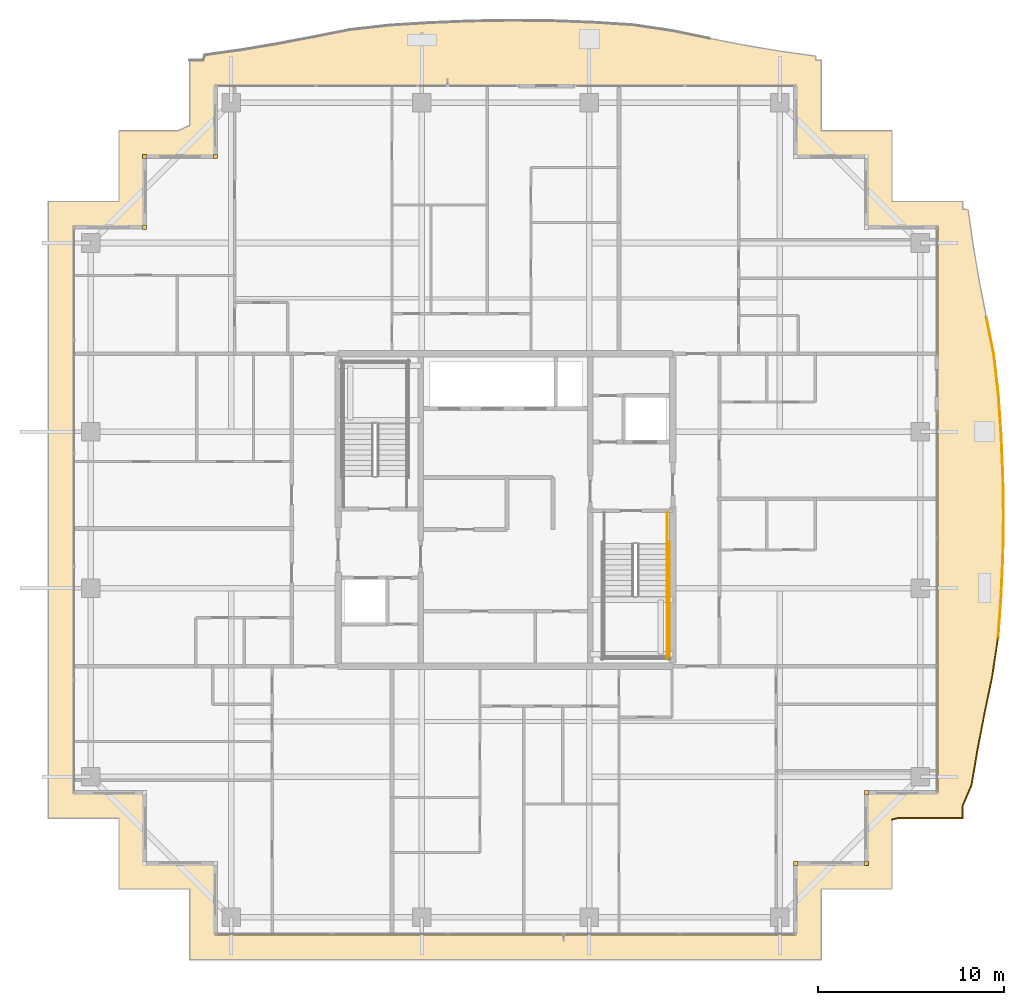
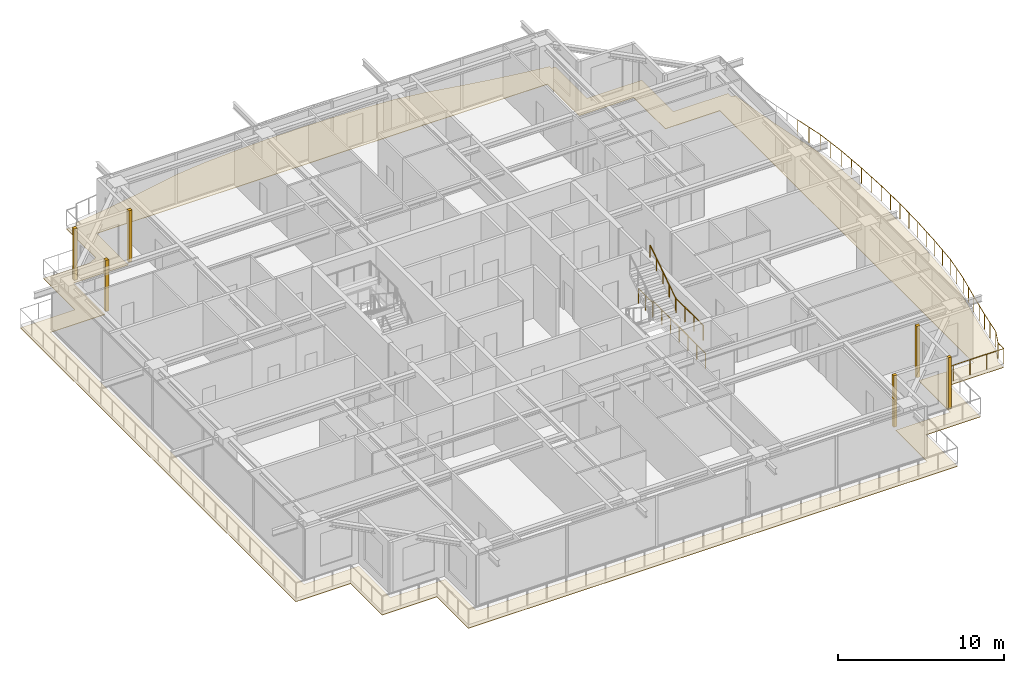
# One storey, part 39 of 40: 7 coverings, 6 railings.
"""IFC4 building model written with IfcOpenShell, lengths in metres."""

from ifc_helpers import new_model, si_unit, direction, frame, origin, origin_2d, place, context, subcontext, project, spatial, polyline, rectangle, circle, outline, extrude, source, transform, mapped, material, layer, layer_set, type_object, element, save


model = new_model("IFC4")

# Units and contexts
model_context = context("Model", 3, precision=1e-05, world=origin(), true_north=direction((0.0, 1.0)))
body_context = subcontext(model_context, "Body", "Model", "MODEL_VIEW")
ifc_project = project(units=[si_unit("LENGTHUNIT", "METRE"), si_unit("AREAUNIT", "SQUARE_METRE"), si_unit("VOLUMEUNIT", "CUBIC_METRE"), si_unit("PLANEANGLEUNIT", "RADIAN"), si_unit("MASSUNIT", "GRAM", prefix="KILO")], contexts=[model_context])

# Site, building, storey
site_placement = place(None, origin())
site = spatial("IfcSite", under=ifc_project, at=site_placement, CompositionType="ELEMENT")
building_placement = place(site_placement, origin())
building = spatial("IfcBuilding", under=site, at=building_placement, Name="Serunith Strait Residences", CompositionType="ELEMENT")
storey_placement = place(building_placement, frame((0.0, 0.0, 313.699951171875)))
storey = spatial("IfcBuildingStorey", under=building, at=storey_placement, Name="L78", CompositionType="ELEMENT", Elevation=313.699951171875)

# Covering
ifc_material_1 = material(Name="Golden Teak Exterior Timber Boarding", Category="wood")
ifc_layer_1 = layer(ifc_material_1, 0.034912109375, Name="Golden Teak Exterior Timber Boarding")
ifc_layer_set_1 = layer_set([ifc_layer_1], Name="Golden Teak Exterior Timber Boarding")
covering_type_1 = type_object("IfcCoveringType", Name="COV-TEAK-SOFFIT", PredefinedType="CEILING", material=ifc_layer_set_1)
covering_placement = place(storey_placement, frame((0.0, 0.0, -0.324951171875)))
element("IfcCovering", 1, at=covering_placement, inside=storey, type_object=covering_type_1, Name="L78 Golden-Teak Balcony Soffit Lining", PredefinedType="CEILING", context=body_context, shape_type="SweptSolid", body=[
    extrude(outline(polyline([(15.419921875, 49.3798828125), (16.14990234375, 49.3798828125), (16.240478515625, 49.653564453125), (18.141845703125, 49.92138671875), (20.06103515625, 50.243896484375), (22.014892578125, 50.614501953125), (24.022216796875, 51.0126953125), (26.134765625, 51.25146484375), (28.303466796875, 51.38720703125), (30.498291015625, 51.477783203125), (32.707763671875, 51.5146484375), (34.917724609375, 51.49169921875), (37.11279296875, 51.408447265625), (39.27978515625, 51.27099609375), (41.363037109375, 50.959228515625), (43.35205078125, 50.551025390625), (45.289794921875, 50.176513671875), (47.19677734375, 49.85498046875), (49.089599609375, 49.592529296875), (49.087646484375, 49.3798828125), (49.3798828125, 49.3798828125), (49.3798828125, 45.580078125), (53.179931640625, 45.580078125), (53.179931640625, 41.892578125), (53.197021484375, 41.780029296875), (56.97998046875, 41.780029296875), (56.97998046875, 41.365478515625), (57.265380859375, 41.348388671875), (57.5361328125, 39.447509765625), (57.864013671875, 37.529541015625), (58.242919921875, 35.577880859375), (58.65283203125, 33.57373046875), (58.89306640625, 31.461669921875), (59.042236328125, 29.2958984375), (59.14013671875, 27.101806640625), (59.17431640625, 24.892333984375), (59.139404296875, 22.68359375), (59.038818359375, 20.4921875), (58.883544921875, 18.331787109375), (58.573486328125, 16.249755859375), (58.16064453125, 14.2626953125), (57.784912109375, 12.3251953125), (57.464599609375, 10.4169921875), (56.97998046875, 9.292724609375), (56.97998046875, 8.6201171875), (53.47119140625, 8.6201171875), (53.179931640625, 8.547119140625), (53.179931640625, 4.820068359375), (49.392578125, 4.820068359375), (49.3798828125, 4.815185546875), (49.3798828125, 1.02001953125), (15.419921875, 1.02001953125), (15.419921875, 4.820068359375), (11.6201171875, 4.820068359375), (11.6201171875, 8.6201171875), (7.820068359375, 8.6201171875), (7.820068359375, 41.780029296875), (11.6201171875, 41.780029296875), (11.6201171875, 45.580078125), (14.802001953125, 45.580078125), (15.419921875, 45.871826171875), (15.419921875, 49.3798828125)]), holes=[polyline([(48.054931640625, 2.344970703125), (48.054931640625, 6.14501953125), (51.85498046875, 6.14501953125), (51.85498046875, 9.945068359375), (55.655029296875, 9.945068359375), (55.655029296875, 40.455078125), (51.85498046875, 40.455078125), (51.85498046875, 44.2548828125), (48.054931640625, 44.2548828125), (48.054931640625, 48.054931640625), (16.7451171875, 48.054931640625), (16.7451171875, 44.2548828125), (12.945068359375, 44.2548828125), (12.945068359375, 40.455078125), (9.14501953125, 40.455078125), (9.14501953125, 9.945068359375), (12.945068359375, 9.945068359375), (12.945068359375, 6.14501953125), (16.7451171875, 6.14501953125), (16.7451171875, 2.344970703125), (48.054931640625, 2.344970703125)])]), origin(), (0.0, 0.0, 1.0), 0.034912109375),
])

# Railings
ifc_material_2 = material(Name="Stainless Steel & Laminated Glass Balustrade", Category="steel")
railing_type_1 = type_object("IfcRailingType", Name="RLG-BALC-1150", PredefinedType="BALUSTRADE", material=ifc_material_2)
railing_1_placement = place(storey_placement, frame((58.242919921875, 35.577880859375, -0.050048828125)))
element("IfcRailing", 2, at=railing_1_placement, inside=storey, type_object=railing_type_1, Name="L78 Swirling Balcony Perimeter Balustrade 5", PredefinedType="BALUSTRADE", context=body_context, shape_type="SweptSolid", body=[
    extrude(circle(Radius=0.02392578125, at=origin_2d()), frame((0.00048828125, -0.001953125, 1.1259765625), z_axis=(0.200383218636, -0.979717594866, 0.0), x_axis=(0.979717594866, 0.200383218636, 0.0)), (0.0, 0.0, 1.0), 2.041748046875),
    extrude(circle(Radius=0.02392578125, at=origin_2d()), frame((0.41015625, -2.006103515625, 1.1259765625), z_axis=(0.113015345131, -0.993593242612, 0.0), x_axis=(0.993593242612, 0.113015345131, 0.0)), (0.0, 0.0, 1.0), 2.12158203125),
    extrude(circle(Radius=0.02392578125, at=origin_2d()), frame((0.650390625, -4.1181640625, 1.1259765625), z_axis=(0.068713320805, -0.99763644658, 0.0), x_axis=(0.99763644658, 0.068713320805, 0.0)), (0.0, 0.0, 1.0), 2.1669921875),
    extrude(circle(Radius=0.02392578125, at=origin_2d()), frame((0.79931640625, -6.283935546875, 1.1259765625), z_axis=(0.044575654902, -0.999006011488, 0.0), x_axis=(0.999006011488, 0.044575654902, 0.0)), (0.0, 0.0, 1.0), 2.1923828125),
    extrude(circle(Radius=0.02392578125, at=origin_2d()), frame((0.897216796875, -8.47802734375, 1.1259765625), z_axis=(0.015467762583, -0.999880367004, 0.0), x_axis=(0.999880367004, 0.015467762583, 0.0)), (0.0, 0.0, 1.0), 2.205810546875),
    extrude(circle(Radius=0.02392578125, at=origin_2d()), frame((0.931396484375, -10.6875, 1.1259765625), z_axis=(-0.015804370482, -0.999875103137, 0.0), x_axis=(0.999875103137, -0.015804370482, 0.0)), (0.0, 0.0, 1.0), 2.205078125),
    extrude(circle(Radius=0.02392578125, at=origin_2d()), frame((0.896484375, -12.896240234375, 1.1259765625), z_axis=(-0.045851902668, -0.99894824842, 0.0), x_axis=(0.99894824842, -0.045851902668, 0.0)), (0.0, 0.0, 1.0), 2.189697265625),
    extrude(circle(Radius=0.02392578125, at=origin_2d()), frame((0.795654296875, -15.087646484375, 1.1259765625), z_axis=(-0.07168760955, -0.997427133498, 0.0), x_axis=(0.997427133498, -0.07168760955, 0.0)), (0.0, 0.0, 1.0), 2.161865234375),
    extrude(circle(Radius=0.02099609375, at=origin_2d()), origin(), (0.0, 0.0, 1.0), 1.099853515625),
    extrude(circle(Radius=0.02099609375, at=origin_2d()), frame((0.205078125, -1.001953125, 0.0)), (0.0, 0.0, 1.0), 1.099853515625),
    extrude(circle(Radius=0.02099609375, at=origin_2d()), frame((0.409912109375, -2.004150390625, 0.0)), (0.0, 0.0, 1.0), 1.099853515625),
    extrude(circle(Radius=0.02099609375, at=origin_2d()), frame((0.530029296875, -3.06005859375, 0.0)), (0.0, 0.0, 1.0), 1.099853515625),
    extrude(circle(Radius=0.02099609375, at=origin_2d()), frame((0.650146484375, -4.1162109375, 0.0)), (0.0, 0.0, 1.0), 1.099853515625),
    extrude(circle(Radius=0.02099609375, at=origin_2d()), frame((0.724609375, -5.19921875, 0.0)), (0.0, 0.0, 1.0), 1.099853515625),
    extrude(circle(Radius=0.02099609375, at=origin_2d()), frame((0.79931640625, -6.281982421875, 0.0)), (0.0, 0.0, 1.0), 1.099853515625),
    extrude(circle(Radius=0.02099609375, at=origin_2d()), frame((0.84814453125, -7.37890625, 0.0)), (0.0, 0.0, 1.0), 1.099853515625),
    extrude(circle(Radius=0.02099609375, at=origin_2d()), frame((0.897216796875, -8.47607421875, 0.0)), (0.0, 0.0, 1.0), 1.099853515625),
    extrude(circle(Radius=0.02099609375, at=origin_2d()), frame((0.914306640625, -9.580810546875, 0.0)), (0.0, 0.0, 1.0), 1.099853515625),
    extrude(circle(Radius=0.02099609375, at=origin_2d()), frame((0.931396484375, -10.685546875, 0.0)), (0.0, 0.0, 1.0), 1.099853515625),
    extrude(circle(Radius=0.02099609375, at=origin_2d()), frame((0.9140625, -11.7900390625, 0.0)), (0.0, 0.0, 1.0), 1.099853515625),
    extrude(circle(Radius=0.02099609375, at=origin_2d()), frame((0.896484375, -12.894287109375, 0.0)), (0.0, 0.0, 1.0), 1.099853515625),
    extrude(circle(Radius=0.02099609375, at=origin_2d()), frame((0.84619140625, -13.989990234375, 0.0)), (0.0, 0.0, 1.0), 1.099853515625),
    extrude(circle(Radius=0.02099609375, at=origin_2d()), frame((0.7958984375, -15.085693359375, 0.0)), (0.0, 0.0, 1.0), 1.099853515625),
    extrude(circle(Radius=0.02099609375, at=origin_2d()), frame((0.71826171875, -16.166015625, 0.0)), (0.0, 0.0, 1.0), 1.099853515625),
    extrude(circle(Radius=0.02099609375, at=origin_2d()), frame((0.640625, -17.24609375, 0.0)), (0.0, 0.0, 1.0), 1.099853515625),
])
railing_2_placement = place(storey_placement, frame((58.883544921875, 18.331787109375, -0.050048828125)))
element("IfcRailing", 3, at=railing_2_placement, inside=storey, type_object=railing_type_1, Name="L78 Swirling Balcony Perimeter Balustrade 6", PredefinedType="BALUSTRADE", context=body_context, shape_type="SweptSolid", body=[
    extrude(circle(Radius=0.02392578125, at=origin_2d()), frame((-0.000244140625, -0.001953125, 1.1259765625), z_axis=(-0.147296818196, -0.989092335098, 0.0), x_axis=(0.989092335098, -0.147296818196, 0.0)), (0.0, 0.0, 1.0), 2.10107421875),
    extrude(circle(Radius=0.02392578125, at=origin_2d()), frame((-0.310546875, -2.083984375, 1.1259765625), z_axis=(-0.203420997119, -0.979091363424, 0.0), x_axis=(0.979091363424, -0.203420997119, 0.0)), (0.0, 0.0, 1.0), 2.025390625),
    extrude(circle(Radius=0.02392578125, at=origin_2d()), frame((-0.723388671875, -4.071044921875, 1.1259765625), z_axis=(-0.19037960412, -0.981710551199, 0.0), x_axis=(0.981710551199, -0.19037960412, 0.0)), (0.0, 0.0, 1.0), 1.969482421875),
    extrude(circle(Radius=0.02392578125, at=origin_2d()), frame((-1.098876953125, -6.008544921875, 1.1259765625), z_axis=(-0.165544703271, -0.98620228717, 0.0), x_axis=(0.98620228717, -0.165544703271, 0.0)), (0.0, 0.0, 1.0), 1.930908203125),
    extrude(circle(Radius=0.02392578125, at=origin_2d()), frame((-1.419677734375, -7.916748046875, 1.1259765625), z_axis=(-0.395843845164, -0.918317837269, 0.0), x_axis=(0.918317837269, -0.395843845164, 0.0)), (0.0, 0.0, 1.0), 1.22021484375),
    extrude(circle(Radius=0.02392578125, at=origin_2d()), frame((-1.903564453125, -9.041015625, 1.1259765625), z_axis=(0.0, -1.0, 0.0), x_axis=(1.0, 0.0, 0.0)), (0.0, 0.0, 1.0), 0.668701171875),
    extrude(circle(Radius=0.02392578125, at=origin_2d()), frame((-1.905517578125, -9.711669921875, 1.1259765625), z_axis=(-1.0, 0.0, 0.0), x_axis=(0.0, -1.0, 0.0)), (0.0, 0.0, 1.0), 3.5048828125),
    extrude(circle(Radius=0.02392578125, at=origin_2d()), frame((-5.414306640625, -9.712158203125, 1.1259765625), z_axis=(-0.969998846497, -0.243109518108, 0.0), x_axis=(0.243109518108, -0.969998846497, 0.0)), (0.0, 0.0, 1.0), 0.29638671875),
    extrude(circle(Radius=0.02099609375, at=origin_2d()), origin(), (0.0, 0.0, 1.0), 1.099853515625),
    extrude(circle(Radius=0.02099609375, at=origin_2d()), frame((-0.155029296875, -1.041015625, 0.0)), (0.0, 0.0, 1.0), 1.099853515625),
    extrude(circle(Radius=0.02099609375, at=origin_2d()), frame((-0.31005859375, -2.08203125, 0.0)), (0.0, 0.0, 1.0), 1.099853515625),
    extrude(circle(Radius=0.02099609375, at=origin_2d()), frame((-0.5166015625, -3.07568359375, 0.0)), (0.0, 0.0, 1.0), 1.099853515625),
    extrude(circle(Radius=0.02099609375, at=origin_2d()), frame((-0.722900390625, -4.069091796875, 0.0)), (0.0, 0.0, 1.0), 1.099853515625),
    extrude(circle(Radius=0.02099609375, at=origin_2d()), frame((-0.91064453125, -5.037841796875, 0.0)), (0.0, 0.0, 1.0), 1.099853515625),
    extrude(circle(Radius=0.02099609375, at=origin_2d()), frame((-1.0986328125, -6.006591796875, 0.0)), (0.0, 0.0, 1.0), 1.099853515625),
    extrude(circle(Radius=0.02099609375, at=origin_2d()), frame((-1.2587890625, -6.960693359375, 0.0)), (0.0, 0.0, 1.0), 1.099853515625),
    extrude(circle(Radius=0.02099609375, at=origin_2d()), frame((-1.4189453125, -7.914794921875, 0.0)), (0.0, 0.0, 1.0), 1.099853515625),
    extrude(circle(Radius=0.02099609375, at=origin_2d()), frame((-1.903564453125, -9.0390625, 0.0)), (0.0, 0.0, 1.0), 1.099853515625),
    extrude(circle(Radius=0.02099609375, at=origin_2d()), frame((-1.903564453125, -9.711669921875, 0.0)), (0.0, 0.0, 1.0), 1.099853515625),
    extrude(circle(Radius=0.02099609375, at=origin_2d()), frame((-3.0732421875, -9.711669921875, 0.0)), (0.0, 0.0, 1.0), 1.099853515625),
    extrude(circle(Radius=0.02099609375, at=origin_2d()), frame((-4.24267578125, -9.711669921875, 0.0)), (0.0, 0.0, 1.0), 1.099853515625),
    extrude(circle(Radius=0.02099609375, at=origin_2d()), frame((-5.412353515625, -9.711669921875, 0.0)), (0.0, 0.0, 1.0), 1.099853515625),
    extrude(circle(Radius=0.02099609375, at=origin_2d()), frame((-5.70361328125, -9.78466796875, 0.0)), (0.0, 0.0, 1.0), 1.099853515625),
])
ifc_material_3 = material(Name="Brushed stainless steel 316L", Category="steel")
railing_type_2 = type_object("IfcRailingType", Name="RLG-STAIR-GUARD", PredefinedType="BALUSTRADE", material=ifc_material_3)
railing_3_placement = place(storey_placement, frame((41.10009765625, 20.570068359375, 2.025146484375)))
element("IfcRailing", 4, at=railing_3_placement, inside=storey, type_object=railing_type_2, Name="L78 ST-2 stair guard 4", PredefinedType="BALUSTRADE", context=body_context, shape_type="SweptSolid", body=[
    extrude(circle(Radius=0.02392578125, at=origin_2d()), frame((0.0, -0.001953125, 1.076171875), z_axis=(0.0, -1.0, 0.0), x_axis=(1.0, 0.0, 0.0)), (0.0, 0.0, 1.0), 3.316162109375),
    extrude(circle(Radius=0.02099609375, at=origin_2d()), origin(), (0.0, 0.0, 1.0), 1.050048828125),
    extrude(circle(Radius=0.02099609375, at=origin_2d()), frame((0.0, -1.106689453125, 0.0)), (0.0, 0.0, 1.0), 1.050048828125),
    extrude(circle(Radius=0.02099609375, at=origin_2d()), frame((0.0, -2.21337890625, 0.0)), (0.0, 0.0, 1.0), 1.050048828125),
    extrude(circle(Radius=0.02099609375, at=origin_2d()), frame((0.0, -3.320068359375, 0.0)), (0.0, 0.0, 1.0), 1.050048828125),
])
railing_4_placement = place(storey_placement, frame((41.10009765625, 25.050048828125, 0.0)))
element("IfcRailing", 5, at=railing_4_placement, inside=storey, type_object=railing_type_2, Name="L78 ST-2 stair guard 9", PredefinedType="BALUSTRADE", context=body_context, shape_type="SweptSolid", body=[
    extrude(circle(Radius=0.02392578125, at=origin_2d()), frame((0.0, -0.001953125, 1.076171875), z_axis=(0.0, -1.0, 0.0), x_axis=(1.0, 0.0, 0.0)), (0.0, 0.0, 1.0), 1.676025390625),
    extrude(circle(Radius=0.02099609375, at=origin_2d()), origin(), (0.0, 0.0, 1.0), 1.050048828125),
    extrude(circle(Radius=0.02099609375, at=origin_2d()), frame((0.0, -0.83984375, 0.0)), (0.0, 0.0, 1.0), 1.050048828125),
    extrude(circle(Radius=0.02099609375, at=origin_2d()), frame((0.0, -1.679931640625, 0.0)), (0.0, 0.0, 1.0), 1.050048828125),
])
railing_5_placement = place(storey_placement, frame((41.199951171875, 23.469970703125, 0.0)))
element("IfcRailing", 6, at=railing_5_placement, inside=storey, type_object=railing_type_2, Name="L78 ST-2 stair guard 11", PredefinedType="BALUSTRADE", context=body_context, shape_type="SweptSolid", body=[
    extrude(circle(Radius=0.02392578125, at=origin_2d()), frame((0.0, -0.001953125, 1.076171875), z_axis=(0.0, -1.0, 0.0), x_axis=(1.0, 0.0, 0.0)), (0.0, 0.0, 1.0), 6.316162109375),
    extrude(circle(Radius=0.02099609375, at=origin_2d()), origin(), (0.0, 0.0, 1.0), 1.050048828125),
    extrude(circle(Radius=0.02099609375, at=origin_2d()), frame((0.0, -1.05322265625, 0.0)), (0.0, 0.0, 1.0), 1.050048828125),
    extrude(circle(Radius=0.02099609375, at=origin_2d()), frame((0.0, -2.106689453125, 0.0)), (0.0, 0.0, 1.0), 1.050048828125),
    extrude(circle(Radius=0.02099609375, at=origin_2d()), frame((0.0, -3.16015625, 0.0)), (0.0, 0.0, 1.0), 1.050048828125),
    extrude(circle(Radius=0.02099609375, at=origin_2d()), frame((0.0, -4.21337890625, 0.0)), (0.0, 0.0, 1.0), 1.050048828125),
    extrude(circle(Radius=0.02099609375, at=origin_2d()), frame((0.0, -5.2666015625, 0.0)), (0.0, 0.0, 1.0), 1.050048828125),
    extrude(circle(Radius=0.02099609375, at=origin_2d()), frame((0.0, -6.320068359375, 0.0)), (0.0, 0.0, 1.0), 1.050048828125),
])
railing_type_3 = type_object("IfcRailingType", Name="RLG-STAIR-HR", PredefinedType="HANDRAIL", material=ifc_material_3)
railing_6_placement = place(storey_placement, frame((41.10009765625, 20.570068359375, 2.209228515625)))
element("IfcRailing", 7, at=railing_6_placement, inside=storey, type_object=railing_type_3, Name="L78 ST-2 stair handrail 2", PredefinedType="HANDRAIL", context=body_context, shape_type="SweptSolid", body=[
    extrude(circle(Radius=0.02392578125, at=origin_2d()), frame((0.0, 0.001708984375, 0.876953125), z_axis=(0.0, 0.834940924727, 0.550339579002), x_axis=(-1.0, 0.0, 0.0)), (0.0, 0.0, 1.0), 3.6845703125),
    extrude(circle(Radius=0.02099609375, at=origin_2d()), origin(), (0.0, 0.0, 1.0), 0.849853515625),
    extrude(circle(Radius=0.02099609375, at=origin_2d()), frame((0.0, 0.77001953125, 0.507568359375)), (0.0, 0.0, 1.0), 0.849853515625),
    extrude(circle(Radius=0.02099609375, at=origin_2d()), frame((0.0, 1.5400390625, 1.01513671875)), (0.0, 0.0, 1.0), 0.849853515625),
    extrude(circle(Radius=0.02099609375, at=origin_2d()), frame((0.0, 2.309814453125, 1.5224609375)), (0.0, 0.0, 1.0), 0.849853515625),
    extrude(circle(Radius=0.02099609375, at=origin_2d()), frame((0.0, 3.079833984375, 2.030029296875)), (0.0, 0.0, 1.0), 0.849853515625),
])

# Coverings
ifc_material_4 = material(Name="Pale-Champagne Anodised Aluminium", Category="aluminium")
ifc_layer_2 = layer(ifc_material_4, 0.219970703125, Name="Pale-Champagne Anodised Aluminium")
ifc_layer_set_2 = layer_set([ifc_layer_2], Name="Pale-Champagne Anodised Aluminium")
covering_type_2 = type_object("IfcCoveringType", Name="COV-CORN-TRIM", PredefinedType="CLADDING", material=ifc_layer_set_2)
shared_shape = source(origin(), body_context, "Body", "SweptSolid", [
    extrude(rectangle(XDim=0.221923828125, YDim=0.221923828125, at=origin_2d()), origin(), (0.0, 0.0, 1.0), 3.77490234375),
])
for number, where, z_axis, x_axis, name in (
    (8, (48.0, 6.199951171875, 0.0), (0.0, 0.0, 1.0), (1.0, 0.0, 0.0), "L78 Girih Serrated Corner Trim Post 02"),
    (9, (51.800048828125, 6.199951171875, 0.0), (0.0, 0.0, 1.0), (1.0, 0.0, 0.0), "L78 Girih Serrated Corner Trim Post 03"),
    (10, (51.800048828125, 10.0, 0.0), (0.0, 0.0, 1.0), (1.0, 0.0, 0.0), "L78 Girih Serrated Corner Trim Post 04"),
    (11, (16.800048828125, 44.199951171875, 0.0), (0.0, 0.0, 1.0), (1.0, 0.0, 0.0), "L78 Girih Serrated Corner Trim Post 12"),
    (12, (13.0, 44.199951171875, 0.0), (0.0, 0.0, 1.0), (1.0, 0.0, 0.0), "L78 Girih Serrated Corner Trim Post 13"),
    (13, (13.0, 40.39990234375, 0.0), (0.0, 0.0, 1.0), (1.0, 0.0, 0.0), "L78 Girih Serrated Corner Trim Post 14"),
):
    element("IfcCovering", number, at=place(storey_placement, frame(where, z_axis=z_axis, x_axis=x_axis)), inside=storey, type_object=covering_type_2, Name=name, PredefinedType="CLADDING", context=body_context, shape_type="MappedRepresentation", body=[
        mapped(shared_shape, transform((0.0, 0.0, 0.0), scale=1.0)),
    ])

save(model, "model.ifc")
